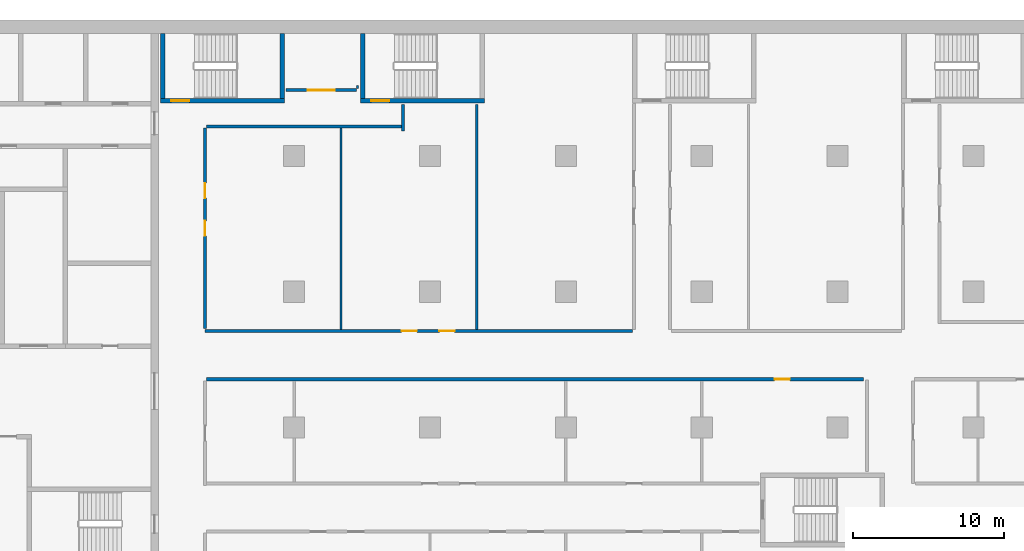
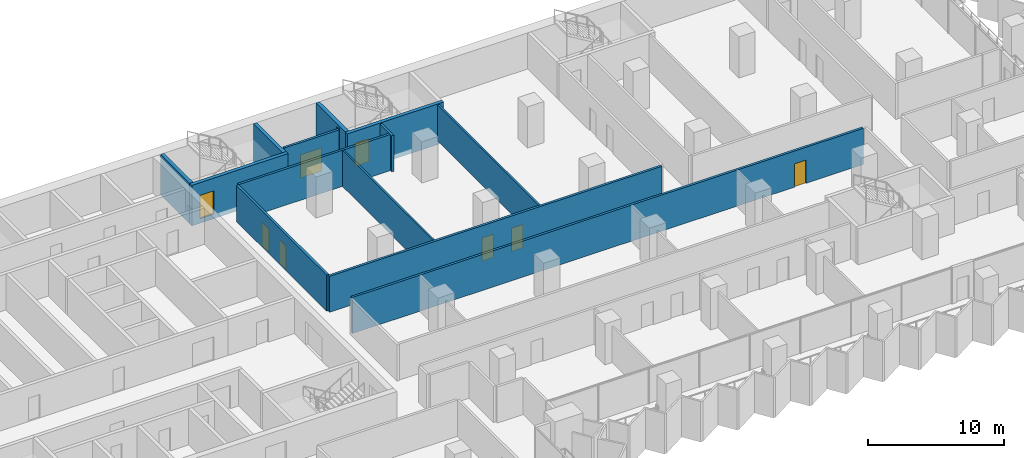
# One storey, part 16 of 28: 14 walls, 8 doors, 8 openings.
"""IFC4 building model written with IfcOpenShell, lengths in metres."""

from ifc_helpers import new_model, si_unit, direction, frame, frame_2d, origin, place, context, subcontext, project, spatial, rectangle, extrude, material, layer, layer_set, type_object, element, fill, save


model = new_model("IFC4")

# Units and contexts
model_context = context("Model", 3, precision=1e-05, world=origin(), true_north=direction((0.0, 1.0)))
body_context = subcontext(model_context, "Body", "Model", "MODEL_VIEW")
ifc_project = project(units=[si_unit("LENGTHUNIT", "METRE"), si_unit("AREAUNIT", "SQUARE_METRE"), si_unit("VOLUMEUNIT", "CUBIC_METRE"), si_unit("PLANEANGLEUNIT", "RADIAN"), si_unit("MASSUNIT", "GRAM", prefix="KILO")], contexts=[model_context])

# Site, building, storey
site_placement = place(None, origin())
site = spatial("IfcSite", under=ifc_project, at=site_placement, CompositionType="ELEMENT")
building_placement = place(site_placement, origin())
building = spatial("IfcBuilding", under=site, at=building_placement, Name="Hunhe Ridgeline Campus", CompositionType="ELEMENT")
storey_placement = place(building_placement, frame((0.0, 0.0, 76.5)))
storey = spatial("IfcBuildingStorey", under=building, at=storey_placement, Name="L18", CompositionType="ELEMENT", Elevation=76.5)

# Wall, opening, door
ifc_material_1 = material(Name="Gypsum board partition")
ifc_layer_1 = layer(ifc_material_1, 0.199951171875)
ifc_layer_set_1 = layer_set([ifc_layer_1], Name="Corridor partition 200 gypsum board on steel studs")
wall_type_1 = type_object("IfcWallType", Name="Corridor partition 200 gypsum board on steel studs", PredefinedType="PARTITIONING", material=ifc_layer_set_1)
wall_1_placement = place(storey_placement, frame((82.713134765625, 75.199951171875, 0.0), z_axis=(0.0, 0.0, 1.0), x_axis=(-1.0, 0.0, 0.0)))
wall_1 = element("IfcWall", 1, at=wall_1_placement, inside=storey, type_object=wall_type_1, Name="F-L18-wall-037", PredefinedType="PARTITIONING", context=body_context, shape_type="SweptSolid", body=[
    extrude(rectangle(XDim=43.51318359375, YDim=0.199951171875, at=frame_2d((21.756591796875, 0.0))), origin(), (0.0, 0.0, 1.0), 3.25),
])
opening_1_placement = place(wall_1_placement, frame((4.876708984375, 0.0, 0.0)))
opening_1 = element("IfcOpeningElement", 2, at=opening_1_placement, cuts=wall_1, Name="Opening RD1-034", PredefinedType="OPENING", context=body_context, shape_type="SweptSolid", body=[
    extrude(rectangle(XDim=1.0, YDim=2.10009765625, at=frame_2d((0.5, 1.050048828125))), frame((0.0, 0.10009765625, 0.0), z_axis=(0.0, -1.0, 0.0), x_axis=(1.0, 0.0, 0.0)), (0.0, 0.0, 1.0), 0.199951171875),
])
ifc_material_2 = material(Name="Timber door leaf", Category="wood")
door_type_1 = type_object("IfcDoorType", Name="Single fire door 1000x2100 timber FD60", OperationType="NOTDEFINED", PredefinedType="DOOR", material=ifc_material_2)
door_1_placement = place(opening_1_placement, origin())
door_1 = element("IfcDoor", 3, at=door_1_placement, inside=storey, type_object=door_type_1, Name="F-L18-door-034", OperationType="SINGLE_SWING_LEFT", OverallHeight=2.10009765625, OverallWidth=1.0, PredefinedType="DOOR", context=body_context, shape_type="SweptSolid", body=[
    extrude(rectangle(XDim=1.0, YDim=2.10009765625, at=frame_2d((0.5, 1.050048828125))), frame((0.0, 0.02490234375, 0.0), z_axis=(0.0, -1.0, 0.0), x_axis=(1.0, 0.0, 0.0)), (0.0, 0.0, 1.0), 0.050048828125),
])
fill(opening_1, door_1)

# Wall, openings, doors
wall_2_placement = place(storey_placement, frame((39.10009765625, 78.39990234375, 0.0), z_axis=(0.0, 0.0, 1.0), x_axis=(1.0, 0.0, 0.0)))
wall_2 = element("IfcWall", 4, at=wall_2_placement, inside=storey, type_object=wall_type_1, Name="F-L18-wall-039", PredefinedType="PARTITIONING", context=body_context, shape_type="SweptSolid", body=[
    extrude(rectangle(XDim=28.2998046875, YDim=0.199951171875, at=frame_2d((14.14990234375, 0.0))), origin(), (0.0, 0.0, 1.0), 3.25),
])
opening_2_placement = place(wall_2_placement, frame((13.02392578125, 0.0, 0.0)))
opening_2 = element("IfcOpeningElement", 5, at=opening_2_placement, cuts=wall_2, Name="Opening RD1-036", PredefinedType="OPENING", context=body_context, shape_type="SweptSolid", body=[
    extrude(rectangle(XDim=1.0, YDim=2.10009765625, at=frame_2d((0.5, 1.050048828125))), frame((0.0, 0.10009765625, 0.0), z_axis=(0.0, -1.0, 0.0), x_axis=(1.0, 0.0, 0.0)), (0.0, 0.0, 1.0), 0.199951171875),
])
opening_3_placement = place(wall_2_placement, frame((15.52392578125, 0.0, 0.0)))
opening_3 = element("IfcOpeningElement", 6, at=opening_3_placement, cuts=wall_2, Name="Opening RD1-037", PredefinedType="OPENING", context=body_context, shape_type="SweptSolid", body=[
    extrude(rectangle(XDim=1.0, YDim=2.10009765625, at=frame_2d((0.5, 1.050048828125))), frame((0.0, 0.10009765625, 0.0), z_axis=(0.0, -1.0, 0.0), x_axis=(1.0, 0.0, 0.0)), (0.0, 0.0, 1.0), 0.199951171875),
])
door_2_placement = place(opening_2_placement, frame((1.0, 0.0, 0.0), z_axis=(0.0, 0.0, 1.0), x_axis=(-1.0, 0.0, 0.0)))
door_2 = element("IfcDoor", 7, at=door_2_placement, inside=storey, type_object=door_type_1, Name="F-L18-door-036", OperationType="SINGLE_SWING_LEFT", OverallHeight=2.10009765625, OverallWidth=1.0, PredefinedType="DOOR", context=body_context, shape_type="SweptSolid", body=[
    extrude(rectangle(XDim=1.0, YDim=2.10009765625, at=frame_2d((0.5, 1.050048828125))), frame((0.0, 0.02490234375, 0.0), z_axis=(0.0, -1.0, 0.0), x_axis=(1.0, 0.0, 0.0)), (0.0, 0.0, 1.0), 0.050048828125),
])
fill(opening_2, door_2)
door_3_placement = place(opening_3_placement, frame((1.0, 0.0, 0.0), z_axis=(0.0, 0.0, 1.0), x_axis=(-1.0, 0.0, 0.0)))
door_3 = element("IfcDoor", 8, at=door_3_placement, inside=storey, type_object=door_type_1, Name="F-L18-door-037", OperationType="SINGLE_SWING_LEFT", OverallHeight=2.10009765625, OverallWidth=1.0, PredefinedType="DOOR", context=body_context, shape_type="SweptSolid", body=[
    extrude(rectangle(XDim=1.0, YDim=2.10009765625, at=frame_2d((0.5, 1.050048828125))), frame((0.0, 0.02490234375, 0.0), z_axis=(0.0, -1.0, 0.0), x_axis=(1.0, 0.0, 0.0)), (0.0, 0.0, 1.0), 0.050048828125),
])
fill(opening_3, door_3)

# Wall
wall_3_placement = place(storey_placement, frame((52.10009765625, 91.949951171875, 0.0), z_axis=(0.0, 0.0, 1.0), x_axis=(-1.0, 0.0, 0.0)))
element("IfcWall", 9, at=wall_3_placement, inside=storey, type_object=wall_type_1, Name="F-L18-wall-043", PredefinedType="PARTITIONING", context=body_context, shape_type="SweptSolid", body=[
    extrude(rectangle(XDim=12.900146484375, YDim=0.199951171875, at=frame_2d((6.4501953125, 0.0))), origin(), (0.0, 0.0, 1.0), 3.25),
])

# Wall, opening, door
wall_4_placement = place(storey_placement, frame((44.4541015625, 94.35009765625, 0.0), z_axis=(0.0, 0.0, 1.0), x_axis=(1.0, 0.0, 0.0)))
wall_4 = element("IfcWall", 10, at=wall_4_placement, inside=storey, type_object=wall_type_1, Name="F-L18-wall-044", PredefinedType="PARTITIONING", context=body_context, shape_type="SweptSolid", body=[
    extrude(rectangle(XDim=4.6708984375, YDim=0.199951171875, at=frame_2d((2.33544921875, 0.0))), origin(), (0.0, 0.0, 1.0), 3.25),
])
opening_4_placement = place(wall_4_placement, frame((1.435546875, 0.0, 0.0)))
opening_4 = element("IfcOpeningElement", 11, at=opening_4_placement, cuts=wall_4, Name="Opening RD2-048", PredefinedType="OPENING", context=body_context, shape_type="SweptSolid", body=[
    extrude(rectangle(XDim=1.800048828125, YDim=2.10009765625, at=frame_2d((0.89990234375, 1.050048828125))), frame((0.0, 0.10009765625, 0.0), z_axis=(0.0, -1.0, 0.0), x_axis=(1.0, 0.0, 0.0)), (0.0, 0.0, 1.0), 0.199951171875),
])
door_type_2 = type_object("IfcDoorType", Name="Double fire door 1800x2100 timber FD60", OperationType="DOUBLE_DOOR_SINGLE_SWING", PredefinedType="DOOR", material=ifc_material_2)
door_4_placement = place(opening_4_placement, origin())
door_4 = element("IfcDoor", 12, at=door_4_placement, inside=storey, type_object=door_type_2, Name="F-L18-door-048", OperationType="DOUBLE_DOOR_SINGLE_SWING", OverallHeight=2.10009765625, OverallWidth=1.800048828125, PredefinedType="DOOR", context=body_context, shape_type="SweptSolid", body=[
    extrude(rectangle(XDim=1.800048828125, YDim=2.10009765625, at=frame_2d((0.89990234375, 1.050048828125))), frame((0.0, 0.02490234375, 0.0), z_axis=(0.0, -1.0, 0.0), x_axis=(1.0, 0.0, 0.0)), (0.0, 0.0, 1.0), 0.050048828125),
])
fill(opening_4, door_4)

# Wall, openings, doors
wall_5_placement = place(storey_placement, frame((39.10009765625, 91.85009765625, 0.0), z_axis=(0.0, 0.0, 1.0), x_axis=(0.0, -1.0, 0.0)))
wall_5 = element("IfcWall", 13, at=wall_5_placement, inside=storey, type_object=wall_type_1, Name="F-L18-wall-062", PredefinedType="PARTITIONING", context=body_context, shape_type="SweptSolid", body=[
    extrude(rectangle(XDim=13.302001953125, YDim=0.199951171875, at=frame_2d((6.65087890625, 0.0))), origin(), (0.0, 0.0, 1.0), 3.25),
])
opening_5_placement = place(wall_5_placement, frame((6.15087890625, 0.0, 0.0)))
opening_5 = element("IfcOpeningElement", 14, at=opening_5_placement, cuts=wall_5, Name="Opening RD1-038", PredefinedType="OPENING", context=body_context, shape_type="SweptSolid", body=[
    extrude(rectangle(XDim=1.0, YDim=2.10009765625, at=frame_2d((0.5, 1.050048828125))), frame((0.0, 0.10009765625, 0.0), z_axis=(0.0, -1.0, 0.0), x_axis=(1.0, 0.0, 0.0)), (0.0, 0.0, 1.0), 0.199951171875),
])
opening_6_placement = place(wall_5_placement, frame((3.65087890625, 0.0, 0.0)))
opening_6 = element("IfcOpeningElement", 15, at=opening_6_placement, cuts=wall_5, Name="Opening RD1-043", PredefinedType="OPENING", context=body_context, shape_type="SweptSolid", body=[
    extrude(rectangle(XDim=1.0, YDim=2.10009765625, at=frame_2d((0.5, 1.050048828125))), frame((0.0, 0.10009765625, 0.0), z_axis=(0.0, -1.0, 0.0), x_axis=(1.0, 0.0, 0.0)), (0.0, 0.0, 1.0), 0.199951171875),
])
door_5_placement = place(opening_5_placement, frame((1.0, 0.0, 0.0), z_axis=(0.0, 0.0, 1.0), x_axis=(-1.0, 0.0, 0.0)))
door_5 = element("IfcDoor", 16, at=door_5_placement, inside=storey, type_object=door_type_1, Name="F-L18-door-038", OperationType="SINGLE_SWING_RIGHT", OverallHeight=2.10009765625, OverallWidth=1.0, PredefinedType="DOOR", context=body_context, shape_type="SweptSolid", body=[
    extrude(rectangle(XDim=1.0, YDim=2.10009765625, at=frame_2d((0.5, 1.050048828125))), frame((0.0, 0.02490234375, 0.0), z_axis=(0.0, -1.0, 0.0), x_axis=(1.0, 0.0, 0.0)), (0.0, 0.0, 1.0), 0.050048828125),
])
fill(opening_5, door_5)
door_6_placement = place(opening_6_placement, frame((1.0, 0.0, 0.0), z_axis=(0.0, 0.0, 1.0), x_axis=(-1.0, 0.0, 0.0)))
door_6 = element("IfcDoor", 17, at=door_6_placement, inside=storey, type_object=door_type_1, Name="F-L18-door-043", OperationType="SINGLE_SWING_RIGHT", OverallHeight=2.10009765625, OverallWidth=1.0, PredefinedType="DOOR", context=body_context, shape_type="SweptSolid", body=[
    extrude(rectangle(XDim=1.0, YDim=2.10009765625, at=frame_2d((0.5, 1.050048828125))), frame((0.0, 0.02490234375, 0.0), z_axis=(0.0, -1.0, 0.0), x_axis=(1.0, 0.0, 0.0)), (0.0, 0.0, 1.0), 0.050048828125),
])
fill(opening_6, door_6)

# Walls
wall_6_placement = place(storey_placement, frame((52.199951171875, 93.39599609375, 0.0), z_axis=(0.0, 0.0, 1.0), x_axis=(0.0, -1.0, 0.0)))
element("IfcWall", 18, at=wall_6_placement, inside=storey, type_object=wall_type_1, Name="F-L18-wall-070", PredefinedType="PARTITIONING", context=body_context, shape_type="SweptSolid", body=[
    extrude(rectangle(XDim=1.74609375, YDim=0.199951171875, at=frame_2d((0.873046875, 0.0))), origin(), (0.0, 0.0, 1.0), 3.25),
])
ifc_layer_2 = layer(ifc_material_1, 0.14990234375)
ifc_layer_set_2 = layer_set([ifc_layer_2], Name="Room partition 150 gypsum board on steel studs")
wall_type_2 = type_object("IfcWallType", Name="Room partition 150 gypsum board on steel studs", PredefinedType="PARTITIONING", material=ifc_layer_set_2)
wall_7_placement = place(storey_placement, frame((48.10009765625, 91.85009765625, 0.0), z_axis=(0.0, 0.0, 1.0), x_axis=(0.0, -1.0, 0.0)))
element("IfcWall", 19, at=wall_7_placement, inside=storey, type_object=wall_type_2, Name="F-L18-wall-068", PredefinedType="PARTITIONING", context=body_context, shape_type="SweptSolid", body=[
    extrude(rectangle(XDim=13.35009765625, YDim=0.14990234375, at=frame_2d((6.675048828125, 0.0))), origin(), (0.0, 0.0, 1.0), 3.25),
])
wall_8_placement = place(storey_placement, frame((49.199951171875, 94.64990234375, 0.0), z_axis=(0.0, 0.0, 1.0), x_axis=(0.0, -1.0, 0.0)))
element("IfcWall", 20, at=wall_8_placement, inside=storey, type_object=wall_type_2, Name="F-L18-wall-069", PredefinedType="PARTITIONING", context=body_context, shape_type="SweptSolid", body=[
    extrude(rectangle(XDim=0.199951171875, YDim=0.14990234375, at=frame_2d((0.10009765625, 0.0))), origin(), (0.0, 0.0, 1.0), 3.25),
])
wall_9_placement = place(storey_placement, frame((57.10009765625, 93.39599609375, 0.0), z_axis=(0.0, 0.0, 1.0), x_axis=(0.0, -1.0, 0.0)))
element("IfcWall", 21, at=wall_9_placement, inside=storey, type_object=wall_type_2, Name="F-L18-wall-073", PredefinedType="PARTITIONING", context=body_context, shape_type="SweptSolid", body=[
    extrude(rectangle(XDim=14.89599609375, YDim=0.14990234375, at=frame_2d((7.447998046875, 0.0))), origin(), (0.0, 0.0, 1.0), 3.25),
])

# Wall, opening, door
ifc_material_3 = material(Name="Concrete C80", Category="concrete")
ifc_layer_3 = layer(ifc_material_3, 0.300048828125)
ifc_layer_set_3 = layer_set([ifc_layer_3], Name="Stair wall 300 reinforced concrete C80")
wall_type_3 = type_object("IfcWallType", Name="Stair wall 300 reinforced concrete C80", PredefinedType="SOLIDWALL", material=ifc_layer_set_3)
wall_10_placement = place(storey_placement, frame((36.14990234375, 93.64990234375, -0.39990234375), z_axis=(0.0, 0.0, 1.0), x_axis=(1.0, 0.0, 0.0)))
wall_10 = element("IfcWall", 22, at=wall_10_placement, inside=storey, type_object=wall_type_3, Name="L18 core wall 30", PredefinedType="SOLIDWALL", context=body_context, shape_type="SweptSolid", body=[
    extrude(rectangle(XDim=8.2001953125, YDim=0.300048828125, at=frame_2d((4.10009765625, 0.0))), origin(), (0.0, 0.0, 1.0), 3.64990234375),
])
opening_7_placement = place(wall_10_placement, frame((0.699951171875, 0.0, 0.39990234375)))
opening_7 = element("IfcOpeningElement", 23, at=opening_7_placement, cuts=wall_10, Name="Opening CD17", PredefinedType="OPENING", context=body_context, shape_type="SweptSolid", body=[
    extrude(rectangle(XDim=1.199951171875, YDim=2.10009765625, at=frame_2d((0.60009765625, 1.050048828125))), frame((0.0, 0.14990234375, 0.0), z_axis=(0.0, -1.0, 0.0), x_axis=(1.0, 0.0, 0.0)), (0.0, 0.0, 1.0), 0.300048828125),
])
ifc_material_4 = material(Name="Hollow metal fire door leaf")
door_type_3 = type_object("IfcDoorType", Name="Stair door 1200x2100 FD60", OperationType="SINGLE_SWING_LEFT", PredefinedType="DOOR", material=ifc_material_4)
door_7_placement = place(opening_7_placement, frame((1.199951171875, 0.0, 0.0), z_axis=(0.0, 0.0, 1.0), x_axis=(-1.0, 0.0, 0.0)))
door_7 = element("IfcDoor", 24, at=door_7_placement, inside=storey, type_object=door_type_3, Name="L18 door E1", OperationType="SINGLE_SWING_RIGHT", OverallHeight=2.10009765625, OverallWidth=1.199951171875, PredefinedType="DOOR", context=body_context, shape_type="SweptSolid", body=[
    extrude(rectangle(XDim=1.199951171875, YDim=2.10009765625, at=frame_2d((0.60009765625, 1.050048828125))), frame((0.0, 0.02490234375, 0.0), z_axis=(0.0, -1.0, 0.0), x_axis=(1.0, 0.0, 0.0)), (0.0, 0.0, 1.0), 0.050048828125),
])
fill(opening_7, door_7)

wall_11_placement = place(storey_placement, frame((49.39990234375, 93.64990234375, -0.39990234375), z_axis=(0.0, 0.0, 1.0), x_axis=(1.0, 0.0, 0.0)))
wall_11 = element("IfcWall", 25, at=wall_11_placement, inside=storey, type_object=wall_type_3, Name="L18 core wall 31", PredefinedType="SOLIDWALL", context=body_context, shape_type="SweptSolid", body=[
    extrude(rectangle(XDim=8.2001953125, YDim=0.300048828125, at=frame_2d((4.10009765625, 0.0))), origin(), (0.0, 0.0, 1.0), 3.64990234375),
])
opening_8_placement = place(wall_11_placement, frame((0.699951171875, 0.0, 0.39990234375)))
opening_8 = element("IfcOpeningElement", 26, at=opening_8_placement, cuts=wall_11, Name="Opening CD18", PredefinedType="OPENING", context=body_context, shape_type="SweptSolid", body=[
    extrude(rectangle(XDim=1.199951171875, YDim=2.10009765625, at=frame_2d((0.60009765625, 1.050048828125))), frame((0.0, 0.14990234375, 0.0), z_axis=(0.0, -1.0, 0.0), x_axis=(1.0, 0.0, 0.0)), (0.0, 0.0, 1.0), 0.300048828125),
])
door_8_placement = place(opening_8_placement, frame((1.199951171875, 0.0, 0.0), z_axis=(0.0, 0.0, 1.0), x_axis=(-1.0, 0.0, 0.0)))
door_8 = element("IfcDoor", 27, at=door_8_placement, inside=storey, type_object=door_type_3, Name="L18 door E2", OperationType="SINGLE_SWING_LEFT", OverallHeight=2.10009765625, OverallWidth=1.199951171875, PredefinedType="DOOR", context=body_context, shape_type="SweptSolid", body=[
    extrude(rectangle(XDim=1.199951171875, YDim=2.10009765625, at=frame_2d((0.60009765625, 1.050048828125))), frame((0.0, 0.02490234375, 0.0), z_axis=(0.0, -1.0, 0.0), x_axis=(1.0, 0.0, 0.0)), (0.0, 0.0, 1.0), 0.050048828125),
])
fill(opening_8, door_8)

# Walls
for number, where, z_axis, x_axis, name in (
    (28, (36.300048828125, 93.800048828125, -0.39990234375), (0.0, 0.0, 1.0), (0.0, 1.0, 0.0), "L18 core wall 65"),
    (29, (44.199951171875, 93.800048828125, -0.39990234375), (0.0, 0.0, 1.0), (0.0, 1.0, 0.0), "L18 core wall 66"),
    (30, (49.550048828125, 93.800048828125, -0.39990234375), (0.0, 0.0, 1.0), (0.0, 1.0, 0.0), "L18 core wall 67"),
):
    element("IfcWall", number, at=place(storey_placement, frame(where, z_axis=z_axis, x_axis=x_axis)), inside=storey, type_object=wall_type_3, Name=name, PredefinedType="SOLIDWALL", context=body_context, shape_type="SweptSolid", body=[
        extrude(rectangle(XDim=4.300048828125, YDim=0.300048828125, at=frame_2d((2.14990234375, 0.0))), origin(), (0.0, 0.0, 1.0), 3.64990234375),
    ])

save(model, "model.ifc")
